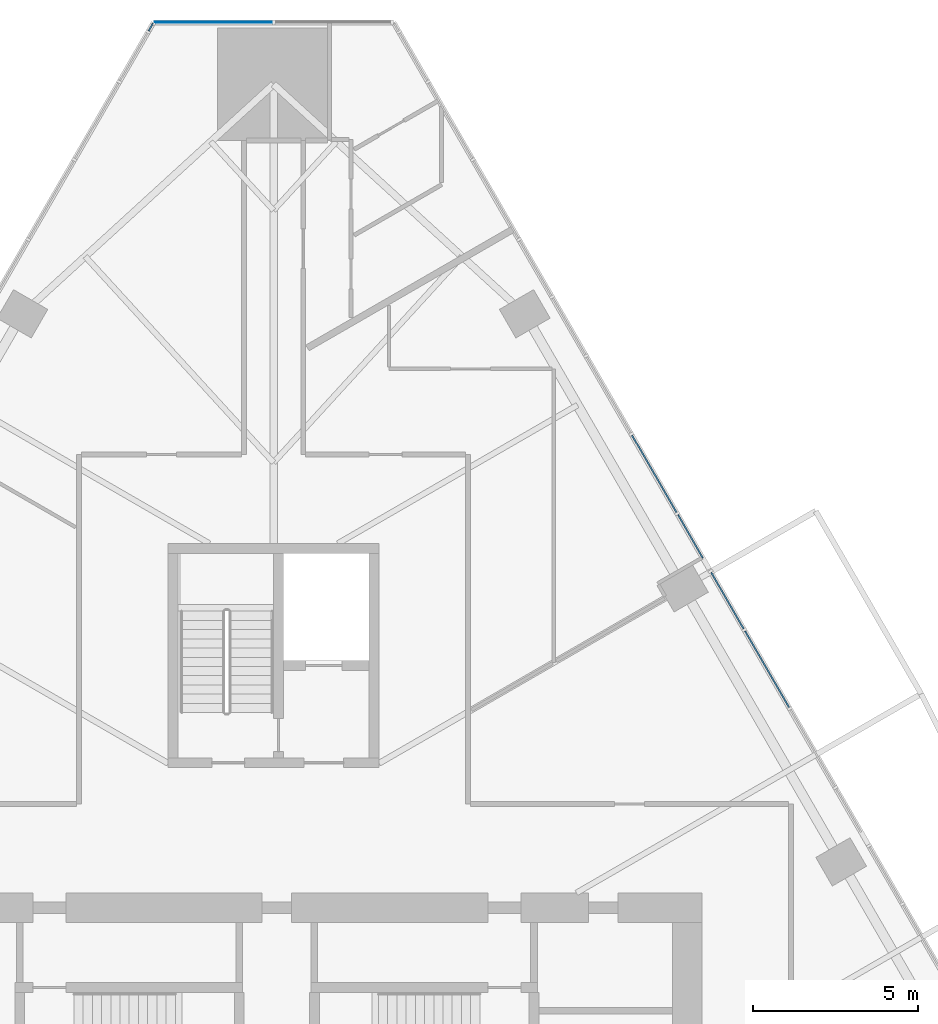
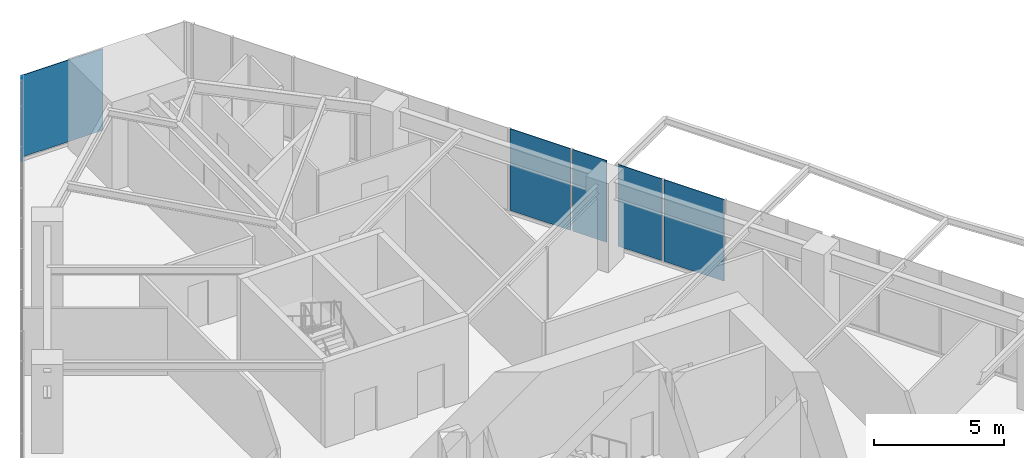
# One storey, part 19 of 29: 6 plates, 3 elements without a shape of their own.
"""IFC4 building model written with IfcOpenShell, lengths in metres."""

from ifc_helpers import new_model, si_unit, direction, frame, origin, place, context, subcontext, project, spatial, polyline, outline, extrude, material, layer, layer_set, type_object, element, aggregate, save


model = new_model("IFC4")

# Units and contexts
model_context = context("Model", 3, precision=1e-05, world=origin(), true_north=direction((0.0, 1.0)))
body_context = subcontext(model_context, "Body", "Model", "MODEL_VIEW")
ifc_project = project(units=[si_unit("LENGTHUNIT", "METRE"), si_unit("AREAUNIT", "SQUARE_METRE"), si_unit("VOLUMEUNIT", "CUBIC_METRE"), si_unit("PLANEANGLEUNIT", "RADIAN"), si_unit("MASSUNIT", "GRAM", prefix="KILO")], contexts=[model_context])

# Site, building, storey
site_placement = place(None, origin())
site = spatial("IfcSite", under=ifc_project, at=site_placement, CompositionType="ELEMENT")
building_placement = place(site_placement, origin())
building = spatial("IfcBuilding", under=site, at=building_placement, Name="Firuza Gate Tower and Library", CompositionType="ELEMENT")
storey_placement = place(building_placement, frame((0.0, 0.0, 44.199951171875)))
storey = spatial("IfcBuildingStorey", under=building, at=storey_placement, Name="L09", CompositionType="ELEMENT", Elevation=44.199951171875)

# Curtain wall, plate
ifc_material_1 = material(Name="Aluminium 6063-T6", Category="aluminium")
ifc_layer_1 = layer(ifc_material_1, 0.14990234375)
ifc_layer_set_1 = layer_set([ifc_layer_1], Name="Corner curtain wall, chamfers")
curtain_wall_type_1 = type_object("IfcCurtainWallType", Name="Corner curtain wall, chamfers", PredefinedType="NOTDEFINED", material=ifc_layer_set_1)
placement = place(storey_placement, origin())
curtain_wall_1 = element("IfcCurtainWall", 1, at=placement, inside=storey, type_object=curtain_wall_type_1, Name="CW4 L09 N corner", PredefinedType="NOTDEFINED")
ifc_material_2 = material(Name="Fritted glass", Category="glass")
ifc_layer_2 = layer(ifc_material_2, 0.030029296875)
ifc_layer_set_2 = layer_set([ifc_layer_2], Name="Fritted glass unit, corners")
plate_type_1 = type_object("IfcPlateType", Name="Fritted glass unit, corners", PredefinedType="CURTAIN_PANEL", material=ifc_layer_set_2)
plate_1_placement = place(storey_placement, frame((74.9599609375, 110.423828125, 0.150146484375), z_axis=(0.0, 1.0, 0.0), x_axis=(-1.0, 0.0, 0.0)))
plate_1 = element("IfcPlate", 2, at=plate_1_placement, type_object=plate_type_1, Name="Glass unit", PredefinedType="CURTAIN_PANEL", context=body_context, shape_type="SweptSolid", body=[
    extrude(outline(polyline([(0.0, 0.0), (3.563232421875, 0.0), (3.563232421875, 3.849853515625), (0.0, 3.849853515625), (0.0, 0.0)])), origin(), (0.0, 0.0, -1.0), 0.030029296875),
])
aggregate(curtain_wall_1, [plate_1])

# Curtain wall, plates
ifc_material_3 = material(Name="Aluminium 6063-T6", Category="aluminium")
ifc_layer_3 = layer(ifc_material_3, 0.14990234375)
ifc_layer_set_3 = layer_set([ifc_layer_3], Name="Unitised curtain wall, offices")
curtain_wall_type_2 = type_object("IfcCurtainWallType", Name="Unitised curtain wall, offices", PredefinedType="NOTDEFINED", material=ifc_layer_set_3)
curtain_wall_2 = element("IfcCurtainWall", 3, at=placement, inside=storey, type_object=curtain_wall_type_2, Name="CW1 L09 E face", PredefinedType="NOTDEFINED")
ifc_material_4 = material(Name="Fritted glass", Category="glass")
ifc_layer_4 = layer(ifc_material_4, 0.030029296875)
ifc_layer_set_4 = layer_set([ifc_layer_4], Name="Fritted glass unit, offices")
plate_type_2 = type_object("IfcPlateType", Name="Fritted glass unit, offices", PredefinedType="CURTAIN_PANEL", material=ifc_layer_set_4)
plate_2_placement = place(storey_placement, frame((89.27685546875, 92.021240234375, 0.150146484375), z_axis=(0.866002090371, 0.500040377843, 0.0), x_axis=(-0.500040377843, 0.866002090371, 0.0)))
plate_2 = element("IfcPlate", 4, at=plate_2_placement, type_object=plate_type_2, Name="Glass unit", PredefinedType="CURTAIN_PANEL", context=body_context, shape_type="SweptSolid", body=[
    extrude(outline(polyline([(0.0, 0.0), (1.9720087178349028, 0.0), (1.9720087178349028, 3.849853515625), (0.0, 3.849853515625), (0.0, 0.0)])), origin(), (0.0, 0.0, -1.0), 0.030029296875),
])
plate_3_placement = place(storey_placement, frame((88.034423828125, 94.1728515625, 0.150146484375), z_axis=(0.866026809777, 0.499997564742, 0.0), x_axis=(-0.499997564742, 0.866026809777, 0.0)))
plate_3 = element("IfcPlate", 5, at=plate_3_placement, type_object=plate_type_2, Name="Glass unit", PredefinedType="CURTAIN_PANEL", context=body_context, shape_type="SweptSolid", body=[
    extrude(outline(polyline([(0.0, 0.0), (1.51074954563117, 0.0), (1.51074954563117, 3.849853515625), (0.0, 3.849853515625), (0.0, 0.0)])), origin(), (0.0, 0.0, -1.0), 0.030029296875),
])
ifc_material_5 = material(Name="Glazed ceramic tile")
ifc_layer_5 = layer(ifc_material_5, 0.030029296875)
ifc_layer_set_5 = layer_set([ifc_layer_5], Name="Opaque ceramic panel, offices")
plate_type_3 = type_object("IfcPlateType", Name="Opaque ceramic panel, offices", PredefinedType="CURTAIN_PANEL", material=ifc_layer_set_5)
plate_4_placement = place(storey_placement, frame((90.654296875, 89.635009765625, 0.150146484375), z_axis=(0.866027539765, 0.499996300355, 0.0), x_axis=(-0.499996300355, 0.866027539765, 0.0)))
plate_4 = element("IfcPlate", 6, at=plate_4_placement, type_object=plate_type_3, Name="Opaque ceramic panel", PredefinedType="CURTAIN_PANEL", context=body_context, shape_type="SweptSolid", body=[
    extrude(outline(polyline([(0.0, 0.0), (2.6753127641636505, 0.0), (2.6753127641636505, 3.849853515625001), (0.0, 3.849853515625001), (0.0, 0.0)])), origin(), (0.0, 0.0, -1.0), 0.030029296875),
])
plate_5_placement = place(storey_placement, frame((87.2392578125, 95.55029296875, 0.150146484375), z_axis=(0.866023205937, 0.500003806764, 0.0), x_axis=(-0.500003806764, 0.866023205937, 0.0)))
plate_5 = element("IfcPlate", 7, at=plate_5_placement, type_object=plate_type_3, Name="Opaque ceramic panel", PredefinedType="CURTAIN_PANEL", context=body_context, shape_type="SweptSolid", body=[
    extrude(outline(polyline([(0.0, 0.0), (2.7040809749041363, 0.0), (2.7040809749041363, 3.849853515625), (0.0, 3.849853515625), (0.0, 0.0)])), origin(), (0.0, 0.0, -1.0), 0.030029296875),
])
aggregate(curtain_wall_2, [plate_4, plate_2, plate_3, plate_5])

# Curtain wall, plate
curtain_wall_3 = element("IfcCurtainWall", 8, at=placement, inside=storey, type_object=curtain_wall_type_2, Name="CW1 L09 W face", PredefinedType="NOTDEFINED")
plate_6_placement = place(storey_placement, frame((71.32373046875, 110.381591796875, 0.150146484375), z_axis=(-0.865780878536, 0.500423291185, 0.0), x_axis=(-0.500423291185, -0.865780878536, 0.0)))
plate_6 = element("IfcPlate", 9, at=plate_6_placement, type_object=plate_type_3, Name="Opaque ceramic panel", PredefinedType="CURTAIN_PANEL", context=body_context, shape_type="SweptSolid", body=[
    extrude(outline(polyline([(0.0, 0.0), (0.2512521381192305, 0.0), (0.2512521381192305, 3.849853515625), (0.0, 3.849853515625), (0.0, 0.0)])), origin(), (0.0, 0.0, -1.0), 0.030029296875),
])
aggregate(curtain_wall_3, [plate_6])

save(model, "model.ifc")
